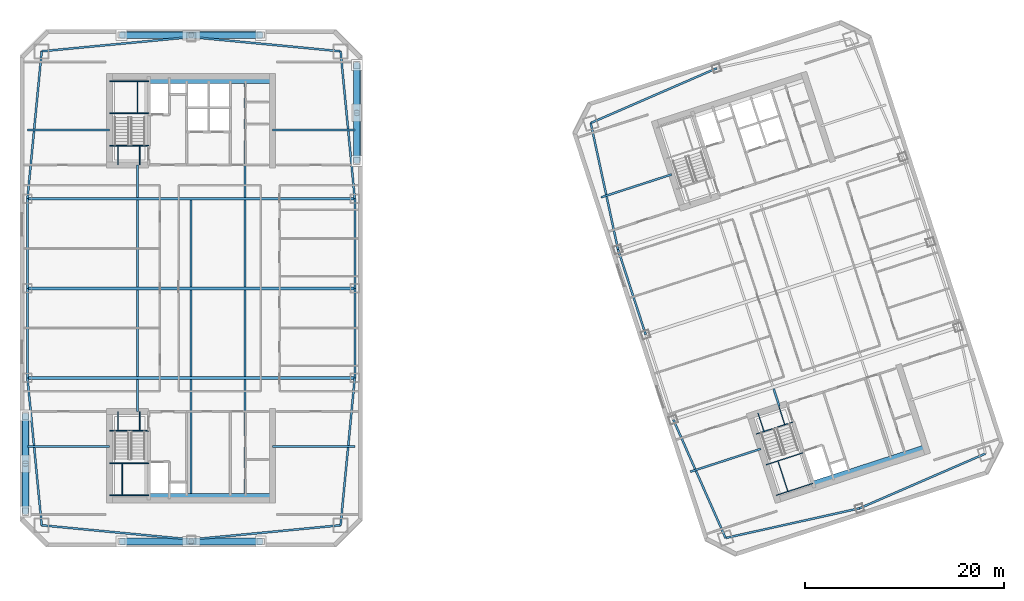
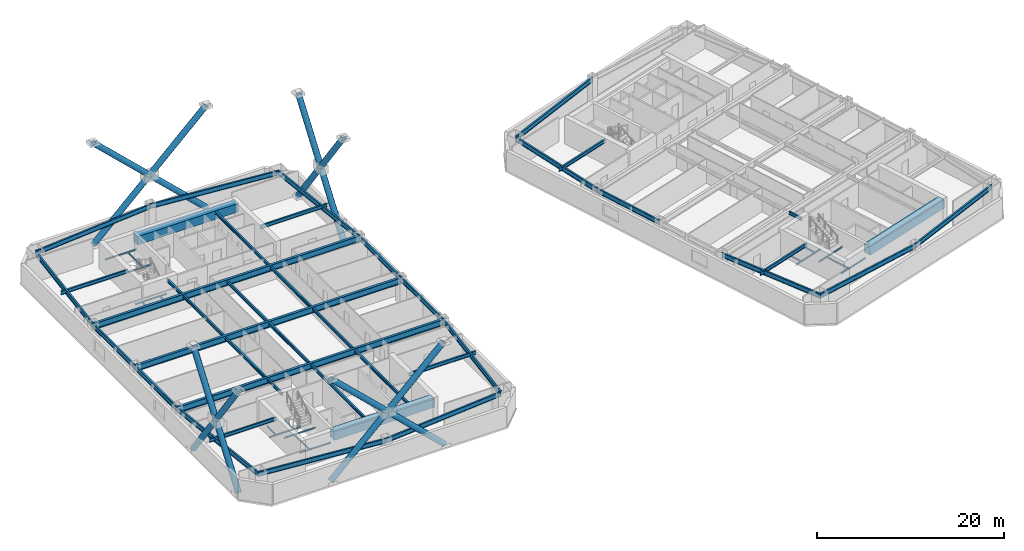
# One storey, part 3 of 14: 60 beams, 16 members.
"""IFC4 building model written with IfcOpenShell, lengths in metres."""

from ifc_helpers import new_model, si_unit, direction, frame, origin, origin_2d, place, context, subcontext, project, spatial, rectangle, hollow_circle, i_section, extrude, material, material_profile, profile_set, type_object, element, save


model = new_model("IFC4")

# Units and contexts
model_context = context("Model", 3, precision=1e-05, world=origin(), true_north=direction((0.0, 1.0)))
body_context = subcontext(model_context, "Body", "Model", "MODEL_VIEW")
ifc_project = project(units=[si_unit("LENGTHUNIT", "METRE"), si_unit("AREAUNIT", "SQUARE_METRE"), si_unit("VOLUMEUNIT", "CUBIC_METRE"), si_unit("PLANEANGLEUNIT", "RADIAN"), si_unit("MASSUNIT", "GRAM", prefix="KILO")], contexts=[model_context])

# Site, building, storey
site_placement = place(None, origin())
site = spatial("IfcSite", under=ifc_project, at=site_placement, CompositionType="ELEMENT")
building_placement = place(site_placement, origin())
building = spatial("IfcBuilding", under=site, at=building_placement, Name="Qiaolan Cultural Towers", CompositionType="ELEMENT")
storey_placement = place(building_placement, frame((0.0, 0.0, 159.85009765625)))
storey = spatial("IfcBuildingStorey", under=building, at=storey_placement, Name="L42", CompositionType="ELEMENT", Elevation=159.85009765625)

# Beams
ifc_material_1 = material(Name="Steel Q355B", Category="steel")
ifc_material_profile_1 = material_profile(ifc_material_1, i_section(OverallWidth=0.300048828125, OverallDepth=0.800048828125, WebThickness=0.013916015625, FlangeThickness=0.02587890625, at=origin_2d()), Name="HN800x300x14x26")
ifc_profile_set_1 = profile_set([ifc_material_profile_1], Name="Steel Q355B")
beam_type_1 = type_object("IfcBeamType", Name="BM-HN800x300x14x26", PredefinedType="BEAM", material=ifc_profile_set_1)
for number, where, z_axis, x_axis, name in (
    (1, (13.550048828125, 25.0, 2.789794921875), (1.0, 0.0, 0.0), (0.0, 1.0, 0.0), "L42 T1 Primary Transverse Girder V1"),
    (2, (13.550048828125, 34.0, 2.789794921875), (1.0, 0.0, 0.0), (0.0, 1.0, 0.0), "L42 T1 Primary Transverse Girder V2"),
    (3, (13.550048828125, 43.0, 2.789794921875), (1.0, 0.0, 0.0), (0.0, 1.0, 0.0), "L42 T1 Primary Transverse Girder V3"),
):
    element("IfcBeam", number, at=place(storey_placement, frame(where, z_axis=z_axis, x_axis=x_axis)), inside=storey, type_object=beam_type_1, Name=name, PredefinedType="BEAM", context=body_context, shape_type="SweptSolid", body=[
        extrude(i_section(OverallWidth=0.300048828125, OverallDepth=0.800048828125, WebThickness=0.013916015625, FlangeThickness=0.02587890625, at=origin_2d()), origin(), (0.0, 0.0, 1.0), 32.89990234375),
    ])
ifc_material_2 = material(Name="Steel Q355B", Category="steel")
ifc_material_profile_2 = material_profile(ifc_material_2, i_section(OverallWidth=0.199951171875, OverallDepth=0.39990234375, WebThickness=0.008056640625, FlangeThickness=0.012939453125, at=origin_2d()), Name="HN400x200x8x13")
ifc_profile_set_2 = profile_set([ifc_material_profile_2], Name="Steel Q355B")
beam_type_2 = type_object("IfcBeamType", Name="BM-JST-HN400x200x8x13", PredefinedType="JOIST", material=ifc_profile_set_2)
beam_1_placement = place(storey_placement, frame((24.60009765625, 21.60009765625, 2.989990234375), z_axis=(0.0, 1.0, 0.0), x_axis=(-1.0, 0.0, 0.0)))
element("IfcBeam", 4, at=beam_1_placement, inside=storey, type_object=beam_type_2, Name="L42 T1 Secondary Floor Joist U1-1", PredefinedType="JOIST", context=body_context, shape_type="SweptSolid", body=[
    extrude(i_section(OverallWidth=0.199951171875, OverallDepth=0.39990234375, WebThickness=0.008056640625, FlangeThickness=0.012939453125, at=origin_2d()), origin(), (0.0, 0.0, 1.0), 3.25),
])
for number, where, z_axis, x_axis, name in (
    (5, (24.60009765625, 25.14990234375, 2.989990234375), (0.0, 1.0, 0.0), (-1.0, 0.0, 0.0), "L42 T1 Secondary Floor Joist U1-2"),
    (6, (24.60009765625, 34.14990234375, 2.989990234375), (0.0, 1.0, 0.0), (-1.0, 0.0, 0.0), "L42 T1 Secondary Floor Joist U1-3"),
):
    element("IfcBeam", number, at=place(storey_placement, frame(where, z_axis=z_axis, x_axis=x_axis)), inside=storey, type_object=beam_type_2, Name=name, PredefinedType="JOIST", context=body_context, shape_type="SweptSolid", body=[
        extrude(i_section(OverallWidth=0.199951171875, OverallDepth=0.39990234375, WebThickness=0.008056640625, FlangeThickness=0.012939453125, at=origin_2d()), origin(), (0.0, 0.0, 1.0), 8.7001953125),
    ])
beam_2_placement = place(storey_placement, frame((24.60009765625, 43.14990234375, 2.989990234375), z_axis=(0.0, 1.0, 0.0), x_axis=(-1.0, 0.0, 0.0)))
element("IfcBeam", 7, at=beam_2_placement, inside=storey, type_object=beam_type_2, Name="L42 T1 Secondary Floor Joist U1-4", PredefinedType="JOIST", context=body_context, shape_type="SweptSolid", body=[
    extrude(i_section(OverallWidth=0.199951171875, OverallDepth=0.39990234375, WebThickness=0.008056640625, FlangeThickness=0.012939453125, at=origin_2d()), origin(), (0.0, 0.0, 1.0), 3.25),
])
beam_3_placement = place(storey_placement, frame((30.0, 13.39990234375, 2.989990234375), z_axis=(0.0, 1.0, 0.0), x_axis=(-1.0, 0.0, 0.0)))
element("IfcBeam", 8, at=beam_3_placement, inside=storey, type_object=beam_type_2, Name="L42 T1 Secondary Floor Joist U2-1", PredefinedType="JOIST", context=body_context, shape_type="SweptSolid", body=[
    extrude(i_section(OverallWidth=0.199951171875, OverallDepth=0.39990234375, WebThickness=0.008056640625, FlangeThickness=0.012939453125, at=origin_2d()), origin(), (0.0, 0.0, 1.0), 11.4501953125),
])
for number, where, z_axis, x_axis, name in (
    (9, (30.0, 25.14990234375, 2.989990234375), (0.0, 1.0, 0.0), (-1.0, 0.0, 0.0), "L42 T1 Secondary Floor Joist U2-2"),
    (10, (30.0, 34.14990234375, 2.989990234375), (0.0, 1.0, 0.0), (-1.0, 0.0, 0.0), "L42 T1 Secondary Floor Joist U2-3"),
):
    element("IfcBeam", number, at=place(storey_placement, frame(where, z_axis=z_axis, x_axis=x_axis)), inside=storey, type_object=beam_type_2, Name=name, PredefinedType="JOIST", context=body_context, shape_type="SweptSolid", body=[
        extrude(i_section(OverallWidth=0.199951171875, OverallDepth=0.39990234375, WebThickness=0.008056640625, FlangeThickness=0.012939453125, at=origin_2d()), origin(), (0.0, 0.0, 1.0), 8.7001953125),
    ])
beam_4_placement = place(storey_placement, frame((35.39990234375, 13.39990234375, 2.989990234375), z_axis=(0.0, 1.0, 0.0), x_axis=(-1.0, 0.0, 0.0)))
element("IfcBeam", 11, at=beam_4_placement, inside=storey, type_object=beam_type_2, Name="L42 T1 Secondary Floor Joist U3-1", PredefinedType="JOIST", context=body_context, shape_type="SweptSolid", body=[
    extrude(i_section(OverallWidth=0.199951171875, OverallDepth=0.39990234375, WebThickness=0.008056640625, FlangeThickness=0.012939453125, at=origin_2d()), origin(), (0.0, 0.0, 1.0), 11.4501953125),
])
for number, where, z_axis, x_axis, name in (
    (12, (35.39990234375, 25.14990234375, 2.989990234375), (0.0, 1.0, 0.0), (-1.0, 0.0, 0.0), "L42 T1 Secondary Floor Joist U3-2"),
    (13, (35.39990234375, 34.14990234375, 2.989990234375), (0.0, 1.0, 0.0), (-1.0, 0.0, 0.0), "L42 T1 Secondary Floor Joist U3-3"),
):
    element("IfcBeam", number, at=place(storey_placement, frame(where, z_axis=z_axis, x_axis=x_axis)), inside=storey, type_object=beam_type_2, Name=name, PredefinedType="JOIST", context=body_context, shape_type="SweptSolid", body=[
        extrude(i_section(OverallWidth=0.199951171875, OverallDepth=0.39990234375, WebThickness=0.008056640625, FlangeThickness=0.012939453125, at=origin_2d()), origin(), (0.0, 0.0, 1.0), 8.7001953125),
    ])
beam_5_placement = place(storey_placement, frame((35.39990234375, 43.14990234375, 2.989990234375), z_axis=(0.0, 1.0, 0.0), x_axis=(-1.0, 0.0, 0.0)))
element("IfcBeam", 14, at=beam_5_placement, inside=storey, type_object=beam_type_2, Name="L42 T1 Secondary Floor Joist U3-4", PredefinedType="JOIST", context=body_context, shape_type="SweptSolid", body=[
    extrude(i_section(OverallWidth=0.199951171875, OverallDepth=0.39990234375, WebThickness=0.008056640625, FlangeThickness=0.012939453125, at=origin_2d()), origin(), (0.0, 0.0, 1.0), 11.4501953125),
])
beam_6_placement = place(storey_placement, frame((89.119384765625, 22.147705078125, 2.989990234375), z_axis=(-0.308933885266, 0.951083516067, 0.0), x_axis=(-0.951083516067, -0.308933885266, 0.0)))
element("IfcBeam", 15, at=beam_6_placement, inside=storey, type_object=beam_type_2, Name="L42 T2 Secondary Floor Joist U1-1", PredefinedType="JOIST", context=body_context, shape_type="SweptSolid", body=[
    extrude(i_section(OverallWidth=0.199951171875, OverallDepth=0.39990234375, WebThickness=0.008056640625, FlangeThickness=0.012939453125, at=origin_2d()), origin(), (0.0, 0.0, 1.0), 1.85009765625),
])
ifc_material_3 = material(Name="Steel Q355B", Category="steel")
ifc_material_profile_3 = material_profile(ifc_material_3, i_section(OverallWidth=0.199951171875, OverallDepth=0.449951171875, WebThickness=0.009033203125, FlangeThickness=0.013916015625, at=origin_2d()), Name="HN450x200x9x14")
ifc_profile_set_3 = profile_set([ifc_material_profile_3], Name="Steel Q355B")
beam_type_3 = type_object("IfcBeamType", Name="BM-LNT-HN450x200x9x14", PredefinedType="LINTEL", material=ifc_profile_set_3)
for number, where, z_axis, x_axis, name in (
    (16, (21.800048828125, 18.10009765625, 2.96484375), (-1.0, 0.0, 0.0), (0.0, -1.0, 0.0), "L42 T1 Core Flank Tie Lintel WS"),
    (17, (21.800048828125, 49.89990234375, 2.96484375), (-1.0, 0.0, 0.0), (0.0, -1.0, 0.0), "L42 T1 Core Flank Tie Lintel WN"),
    (18, (38.199951171875, 18.10009765625, 2.96484375), (1.0, 0.0, 0.0), (0.0, 1.0, 0.0), "L42 T1 Core Flank Tie Lintel ES"),
    (19, (38.199951171875, 49.89990234375, 2.96484375), (1.0, 0.0, 0.0), (0.0, 1.0, 0.0), "L42 T1 Core Flank Tie Lintel EN"),
):
    element("IfcBeam", number, at=place(storey_placement, frame(where, z_axis=z_axis, x_axis=x_axis)), inside=storey, type_object=beam_type_3, Name=name, PredefinedType="LINTEL", context=body_context, shape_type="SweptSolid", body=[
        extrude(i_section(OverallWidth=0.199951171875, OverallDepth=0.449951171875, WebThickness=0.009033203125, FlangeThickness=0.013916015625, at=origin_2d()), origin(), (0.0, 0.0, 1.0), 8.25),
    ])
beam_7_placement = place(storey_placement, frame((87.252685546875, 17.861083984375, 2.96484375), z_axis=(-0.951064407856, -0.308992705592, 0.0), x_axis=(0.308992705592, -0.951064407856, 0.0)))
element("IfcBeam", 20, at=beam_7_placement, inside=storey, type_object=beam_type_3, Name="L42 T2 Core Flank Tie Lintel WS", PredefinedType="LINTEL", context=body_context, shape_type="SweptSolid", body=[
    extrude(i_section(OverallWidth=0.199951171875, OverallDepth=0.449951171875, WebThickness=0.009033203125, FlangeThickness=0.013916015625, at=origin_2d()), origin(), (0.0, 0.0, 1.0), 7.449951171875),
])
beam_8_placement = place(storey_placement, frame((78.291259765625, 45.44189453125, 2.96484375), z_axis=(-0.951054777171, -0.309022346796, 0.0), x_axis=(0.309022346796, -0.951054777171, 0.0)))
element("IfcBeam", 21, at=beam_8_placement, inside=storey, type_object=beam_type_3, Name="L42 T2 Core Flank Tie Lintel WN", PredefinedType="LINTEL", context=body_context, shape_type="SweptSolid", body=[
    extrude(i_section(OverallWidth=0.199951171875, OverallDepth=0.449951171875, WebThickness=0.009033203125, FlangeThickness=0.013916015625, at=origin_2d()), origin(), (0.0, 0.0, 1.0), 7.4501953125),
])
ifc_material_4 = material(Name="Concrete C50", Category="concrete")
ifc_material_profile_4 = material_profile(ifc_material_4, rectangle(XDim=0.89990234375, YDim=1.10009765625, at=origin_2d()), Name="RC900x1100")
ifc_profile_set_4 = profile_set([ifc_material_profile_4], Name="Concrete C50")
beam_type_4 = type_object("IfcBeamType", Name="BM-RC900x1100", PredefinedType="BEAM", material=ifc_profile_set_4)
for number, where, z_axis, x_axis, name in (
    (22, (25.719970703125, 12.949951171875, 2.639892578125), (1.0, 0.0, 0.0), (0.0, 1.0, 0.0), "L42 T1 Core Header Girder S"),
    (23, (25.719970703125, 55.050048828125, 2.639892578125), (1.0, 0.0, 0.0), (0.0, 1.0, 0.0), "L42 T1 Core Header Girder N"),
):
    element("IfcBeam", number, at=place(storey_placement, frame(where, z_axis=z_axis, x_axis=x_axis)), inside=storey, type_object=beam_type_4, Name=name, PredefinedType="BEAM", context=body_context, shape_type="SweptSolid", body=[
        extrude(rectangle(XDim=0.89990234375, YDim=1.10009765625, at=origin_2d()), origin(), (0.0, 0.0, 1.0), 12.47998046875),
    ])
beam_9_placement = place(storey_placement, frame((92.572265625, 14.174560546875, 2.639892578125), z_axis=(0.951056266386, 0.309017763514, 0.0), x_axis=(-0.309017763514, 0.951056266386, 0.0)))
element("IfcBeam", 24, at=beam_9_placement, inside=storey, type_object=beam_type_4, Name="L42 T2 Core Header Girder S", PredefinedType="BEAM", context=body_context, shape_type="SweptSolid", body=[
    extrude(rectangle(XDim=0.89990234375, YDim=1.10009765625, at=origin_2d()), origin(), (0.0, 0.0, 1.0), 11.880126953125),
])
ifc_material_5 = material(Name="Steel Q355B", Category="steel")
ifc_material_profile_5 = material_profile(ifc_material_5, i_section(OverallWidth=0.199951171875, OverallDepth=0.60009765625, WebThickness=0.010986328125, FlangeThickness=0.01708984375, at=origin_2d()), Name="HN600x200x11x17")
ifc_profile_set_5 = profile_set([ifc_material_profile_5], Name="Steel Q355B")
beam_type_5 = type_object("IfcBeamType", Name="BM-SPD-HN600x200x11x17", PredefinedType="SPANDREL", material=ifc_profile_set_5)
for number, where, z_axis, x_axis, name in (
    (25, (14.97998046875, 10.179931640625, 2.889892578125), (0.995498889995, -0.094773203061, 0.0), (0.094773203061, 0.995498889995, 0.0), "L42 T1 Perimeter Spandrel Beam 1"),
    (26, (30.0, 8.75, 2.889892578125), (0.995498889995, 0.094773203061, 0.0), (-0.094773203061, 0.995498889995, 0.0), "L42 T1 Perimeter Spandrel Beam 2"),
):
    element("IfcBeam", number, at=place(storey_placement, frame(where, z_axis=z_axis, x_axis=x_axis)), inside=storey, type_object=beam_type_5, Name=name, PredefinedType="SPANDREL", context=body_context, shape_type="SweptSolid", body=[
        extrude(i_section(OverallWidth=0.199951171875, OverallDepth=0.60009765625, WebThickness=0.010986328125, FlangeThickness=0.01708984375, at=origin_2d()), origin(), (0.0, 0.0, 1.0), 15.087890625),
    ])
beam_10_placement = place(storey_placement, frame((45.02001953125, 10.179931640625, 2.889892578125), z_axis=(0.096040159186, 0.995377459974, 0.0), x_axis=(-0.995377459974, 0.096040159186, 0.0)))
element("IfcBeam", 27, at=beam_10_placement, inside=storey, type_object=beam_type_5, Name="L42 T1 Perimeter Spandrel Beam 3", PredefinedType="SPANDREL", context=body_context, shape_type="SweptSolid", body=[
    extrude(i_section(OverallWidth=0.199951171875, OverallDepth=0.60009765625, WebThickness=0.010986328125, FlangeThickness=0.01708984375, at=origin_2d()), origin(), (0.0, 0.0, 1.0), 14.888916015625),
])
for number, where, z_axis, x_axis, name in (
    (28, (46.449951171875, 25.0, 2.889892578125), (0.0, 1.0, 0.0), (-1.0, 0.0, 0.0), "L42 T1 Perimeter Spandrel Beam 4"),
    (29, (46.449951171875, 34.0, 2.889892578125), (0.0, 1.0, 0.0), (-1.0, 0.0, 0.0), "L42 T1 Perimeter Spandrel Beam 5"),
):
    element("IfcBeam", number, at=place(storey_placement, frame(where, z_axis=z_axis, x_axis=x_axis)), inside=storey, type_object=beam_type_5, Name=name, PredefinedType="SPANDREL", context=body_context, shape_type="SweptSolid", body=[
        extrude(i_section(OverallWidth=0.199951171875, OverallDepth=0.60009765625, WebThickness=0.010986328125, FlangeThickness=0.01708984375, at=origin_2d()), origin(), (0.0, 0.0, 1.0), 9.0),
    ])
beam_11_placement = place(storey_placement, frame((46.449951171875, 43.0, 2.889892578125), z_axis=(-0.096040159186, 0.995377459974, 0.0), x_axis=(-0.995377459974, -0.096040159186, 0.0)))
element("IfcBeam", 30, at=beam_11_placement, inside=storey, type_object=beam_type_5, Name="L42 T1 Perimeter Spandrel Beam 6", PredefinedType="SPANDREL", context=body_context, shape_type="SweptSolid", body=[
    extrude(i_section(OverallWidth=0.199951171875, OverallDepth=0.60009765625, WebThickness=0.010986328125, FlangeThickness=0.01708984375, at=origin_2d()), origin(), (0.0, 0.0, 1.0), 14.888916015625),
])
for number, where, z_axis, x_axis, name in (
    (31, (45.02001953125, 57.820068359375, 2.889892578125), (-0.995498889995, 0.094773203061, 0.0), (-0.094773203061, -0.995498889995, 0.0), "L42 T1 Perimeter Spandrel Beam 7"),
    (32, (30.0, 59.25, 2.889892578125), (-0.995498889995, -0.094773203061, 0.0), (0.094773203061, -0.995498889995, 0.0), "L42 T1 Perimeter Spandrel Beam 8"),
):
    element("IfcBeam", number, at=place(storey_placement, frame(where, z_axis=z_axis, x_axis=x_axis)), inside=storey, type_object=beam_type_5, Name=name, PredefinedType="SPANDREL", context=body_context, shape_type="SweptSolid", body=[
        extrude(i_section(OverallWidth=0.199951171875, OverallDepth=0.60009765625, WebThickness=0.010986328125, FlangeThickness=0.01708984375, at=origin_2d()), origin(), (0.0, 0.0, 1.0), 15.087890625),
    ])
beam_12_placement = place(storey_placement, frame((14.97998046875, 57.820068359375, 2.889892578125), z_axis=(-0.096040159186, -0.995377459974, 0.0), x_axis=(0.995377459974, -0.096040159186, 0.0)))
element("IfcBeam", 33, at=beam_12_placement, inside=storey, type_object=beam_type_5, Name="L42 T1 Perimeter Spandrel Beam 9", PredefinedType="SPANDREL", context=body_context, shape_type="SweptSolid", body=[
    extrude(i_section(OverallWidth=0.199951171875, OverallDepth=0.60009765625, WebThickness=0.010986328125, FlangeThickness=0.01708984375, at=origin_2d()), origin(), (0.0, 0.0, 1.0), 14.888916015625),
])
for number, where, z_axis, x_axis, name in (
    (34, (13.550048828125, 43.0, 2.889892578125), (0.0, -1.0, 0.0), (1.0, 0.0, 0.0), "L42 T1 Perimeter Spandrel Beam 10"),
    (35, (13.550048828125, 34.0, 2.889892578125), (0.0, -1.0, 0.0), (1.0, 0.0, 0.0), "L42 T1 Perimeter Spandrel Beam 11"),
):
    element("IfcBeam", number, at=place(storey_placement, frame(where, z_axis=z_axis, x_axis=x_axis)), inside=storey, type_object=beam_type_5, Name=name, PredefinedType="SPANDREL", context=body_context, shape_type="SweptSolid", body=[
        extrude(i_section(OverallWidth=0.199951171875, OverallDepth=0.60009765625, WebThickness=0.010986328125, FlangeThickness=0.01708984375, at=origin_2d()), origin(), (0.0, 0.0, 1.0), 9.0),
    ])
beam_13_placement = place(storey_placement, frame((13.550048828125, 25.0, 2.889892578125), z_axis=(0.096040159186, -0.995377459974, 0.0), x_axis=(0.995377459974, 0.096040159186, 0.0)))
element("IfcBeam", 36, at=beam_13_placement, inside=storey, type_object=beam_type_5, Name="L42 T1 Perimeter Spandrel Beam 12", PredefinedType="SPANDREL", context=body_context, shape_type="SweptSolid", body=[
    extrude(i_section(OverallWidth=0.199951171875, OverallDepth=0.60009765625, WebThickness=0.010986328125, FlangeThickness=0.01708984375, at=origin_2d()), origin(), (0.0, 0.0, 1.0), 14.888916015625),
])
beam_14_placement = place(storey_placement, frame((83.71875, 8.900634765625, 2.889892578125), z_axis=(0.976265293399, 0.216578108094, 0.0), x_axis=(-0.216578108094, 0.976265293399, 0.0)))
element("IfcBeam", 37, at=beam_14_placement, inside=storey, type_object=beam_type_5, Name="L42 T2 Perimeter Spandrel Beam 1", PredefinedType="SPANDREL", context=body_context, shape_type="SweptSolid", body=[
    extrude(i_section(OverallWidth=0.199951171875, OverallDepth=0.60009765625, WebThickness=0.010986328125, FlangeThickness=0.01708984375, at=origin_2d()), origin(), (0.0, 0.0, 1.0), 13.793212890625),
])
for number, where, z_axis, x_axis, name in (
    (38, (97.1845703125, 11.887939453125, 2.889892578125), (0.917117043091, 0.398618024268, 0.0), (-0.398618024268, 0.917117043091, 0.0), "L42 T2 Perimeter Spandrel Beam 2"),
    (39, (82.8154296875, 56.112060546875, 2.889892578125), (-0.917117043091, -0.398618024268, 0.0), (0.398618024268, -0.917117043091, 0.0), "L42 T2 Perimeter Spandrel Beam 8"),
):
    element("IfcBeam", number, at=place(storey_placement, frame(where, z_axis=z_axis, x_axis=x_axis)), inside=storey, type_object=beam_type_5, Name=name, PredefinedType="SPANDREL", context=body_context, shape_type="SweptSolid", body=[
        extrude(i_section(OverallWidth=0.199951171875, OverallDepth=0.60009765625, WebThickness=0.010986328125, FlangeThickness=0.01708984375, at=origin_2d()), origin(), (0.0, 0.0, 1.0), 13.79345703125),
    ])
beam_15_placement = place(storey_placement, frame((70.165283203125, 50.61376953125, 2.889892578125), z_axis=(0.210832241173, -0.977522258612, 0.0), x_axis=(0.977522258612, 0.210832241173, 0.0)))
element("IfcBeam", 40, at=beam_15_placement, inside=storey, type_object=beam_type_5, Name="L42 T2 Perimeter Spandrel Beam 9", PredefinedType="SPANDREL", context=body_context, shape_type="SweptSolid", body=[
    extrude(i_section(OverallWidth=0.199951171875, OverallDepth=0.60009765625, WebThickness=0.010986328125, FlangeThickness=0.01708984375, at=origin_2d()), origin(), (0.0, 0.0, 1.0), 12.997314453125),
])
beam_16_placement = place(storey_placement, frame((72.905517578125, 37.90869140625, 2.889892578125), z_axis=(0.309008170129, -0.951059383421, 0.0), x_axis=(0.951059383421, 0.309008170129, 0.0)))
element("IfcBeam", 41, at=beam_16_placement, inside=storey, type_object=beam_type_5, Name="L42 T2 Perimeter Spandrel Beam 10", PredefinedType="SPANDREL", context=body_context, shape_type="SweptSolid", body=[
    extrude(i_section(OverallWidth=0.199951171875, OverallDepth=0.60009765625, WebThickness=0.010986328125, FlangeThickness=0.01708984375, at=origin_2d()), origin(), (0.0, 0.0, 1.0), 8.999755859375),
])
beam_17_placement = place(storey_placement, frame((78.4677734375, 20.789794921875, 2.889892578125), z_axis=(0.404011070002, -0.914754095545, 0.0), x_axis=(0.914754095545, 0.404011070002, 0.0)))
element("IfcBeam", 42, at=beam_17_placement, inside=storey, type_object=beam_type_5, Name="L42 T2 Perimeter Spandrel Beam 12", PredefinedType="SPANDREL", context=body_context, shape_type="SweptSolid", body=[
    extrude(i_section(OverallWidth=0.199951171875, OverallDepth=0.60009765625, WebThickness=0.010986328125, FlangeThickness=0.01708984375, at=origin_2d()), origin(), (0.0, 0.0, 1.0), 12.9970703125),
])
ifc_material_6 = material(Name="Steel Q355B", Category="steel")
ifc_material_profile_6 = material_profile(ifc_material_6, i_section(OverallWidth=0.10009765625, OverallDepth=0.199951171875, WebThickness=0.005615234375, FlangeThickness=0.008056640625, at=origin_2d()), Name="HN200x100x5.5x8")
ifc_profile_set_6 = profile_set([ifc_material_profile_6], Name="Steel Q355B")
beam_type_6 = type_object("IfcBeamType", Name="BM-STTRIM-200", PredefinedType="BEAM", material=ifc_profile_set_6)
beam_18_placement = place(storey_placement, frame((21.800048828125, 19.659912109375, -0.460205078125), z_axis=(1.0, 0.0, 0.0), x_axis=(0.0, 1.0, 0.0)))
element("IfcBeam", 43, at=beam_18_placement, inside=storey, type_object=beam_type_6, Name="L42 ST-W1 Floor Landing Header Beam", PredefinedType="BEAM", context=body_context, shape_type="SweptSolid", body=[
    extrude(i_section(OverallWidth=0.10009765625, OverallDepth=0.199951171875, WebThickness=0.005615234375, FlangeThickness=0.008056640625, at=origin_2d()), origin(), (0.0, 0.0, 1.0), 3.919921875),
])
for number, where, z_axis, x_axis, name in (
    (44, (22.64990234375, 21.60009765625, -0.460205078125), (0.0, -1.0, 0.0), (1.0, 0.0, 0.0), "L42 ST-W1 Floor Landing Stringer 1"),
    (45, (24.85009765625, 21.60009765625, -0.460205078125), (0.0, -1.0, 0.0), (1.0, 0.0, 0.0), "L42 ST-W1 Floor Landing Stringer 2"),
):
    element("IfcBeam", number, at=place(storey_placement, frame(where, z_axis=z_axis, x_axis=x_axis)), inside=storey, type_object=beam_type_6, Name=name, PredefinedType="BEAM", context=body_context, shape_type="SweptSolid", body=[
        extrude(i_section(OverallWidth=0.10009765625, OverallDepth=0.199951171875, WebThickness=0.005615234375, FlangeThickness=0.008056640625, at=origin_2d()), origin(), (0.0, 0.0, 1.0), 1.940185546875),
    ])
for number, where, z_axis, x_axis, name in (
    (46, (21.800048828125, 16.411376953125, 1.4248046875), (1.0, 0.0, 0.0), (0.0, 1.0, 0.0), "L42 ST-W1 Stair Landing Support Beam 1-1"),
    (47, (21.800048828125, 13.179931640625, 1.4248046875), (1.0, 0.0, 0.0), (0.0, 1.0, 0.0), "L42 ST-W1 Stair Landing Support Beam 1-2"),
):
    element("IfcBeam", number, at=place(storey_placement, frame(where, z_axis=z_axis, x_axis=x_axis)), inside=storey, type_object=beam_type_6, Name=name, PredefinedType="BEAM", context=body_context, shape_type="SweptSolid", body=[
        extrude(i_section(OverallWidth=0.10009765625, OverallDepth=0.199951171875, WebThickness=0.005615234375, FlangeThickness=0.008056640625, at=origin_2d()), origin(), (0.0, 0.0, 1.0), 3.919921875),
    ])
beam_19_placement = place(storey_placement, frame((23.070068359375, 16.411376953125, 1.4248046875), z_axis=(0.0, -1.0, 0.0), x_axis=(1.0, 0.0, 0.0)))
element("IfcBeam", 48, at=beam_19_placement, inside=storey, type_object=beam_type_6, Name="L42 ST-W1 Stair Landing Trimmer 1", PredefinedType="BEAM", context=body_context, shape_type="SweptSolid", body=[
    extrude(i_section(OverallWidth=0.10009765625, OverallDepth=0.199951171875, WebThickness=0.005615234375, FlangeThickness=0.008056640625, at=origin_2d()), origin(), (0.0, 0.0, 1.0), 3.2314453125),
])
beam_20_placement = place(storey_placement, frame((21.800048828125, 48.340087890625, -0.460205078125), z_axis=(1.0, 0.0, 0.0), x_axis=(0.0, 1.0, 0.0)))
element("IfcBeam", 49, at=beam_20_placement, inside=storey, type_object=beam_type_6, Name="L42 ST-W2 Floor Landing Header Beam", PredefinedType="BEAM", context=body_context, shape_type="SweptSolid", body=[
    extrude(i_section(OverallWidth=0.10009765625, OverallDepth=0.199951171875, WebThickness=0.005615234375, FlangeThickness=0.008056640625, at=origin_2d()), origin(), (0.0, 0.0, 1.0), 3.919921875),
])
for number, where, z_axis, x_axis, name in (
    (50, (22.64990234375, 46.39990234375, -0.460205078125), (0.0, 1.0, 0.0), (-1.0, 0.0, 0.0), "L42 ST-W2 Floor Landing Stringer 1"),
    (51, (24.85009765625, 46.39990234375, -0.460205078125), (0.0, 1.0, 0.0), (-1.0, 0.0, 0.0), "L42 ST-W2 Floor Landing Stringer 2"),
):
    element("IfcBeam", number, at=place(storey_placement, frame(where, z_axis=z_axis, x_axis=x_axis)), inside=storey, type_object=beam_type_6, Name=name, PredefinedType="BEAM", context=body_context, shape_type="SweptSolid", body=[
        extrude(i_section(OverallWidth=0.10009765625, OverallDepth=0.199951171875, WebThickness=0.005615234375, FlangeThickness=0.008056640625, at=origin_2d()), origin(), (0.0, 0.0, 1.0), 1.940185546875),
    ])
for number, where, z_axis, x_axis, name in (
    (52, (21.800048828125, 51.588623046875, 1.4248046875), (1.0, 0.0, 0.0), (0.0, 1.0, 0.0), "L42 ST-W2 Stair Landing Support Beam 1-1"),
    (53, (21.800048828125, 54.820068359375, 1.4248046875), (1.0, 0.0, 0.0), (0.0, 1.0, 0.0), "L42 ST-W2 Stair Landing Support Beam 1-2"),
):
    element("IfcBeam", number, at=place(storey_placement, frame(where, z_axis=z_axis, x_axis=x_axis)), inside=storey, type_object=beam_type_6, Name=name, PredefinedType="BEAM", context=body_context, shape_type="SweptSolid", body=[
        extrude(i_section(OverallWidth=0.10009765625, OverallDepth=0.199951171875, WebThickness=0.005615234375, FlangeThickness=0.008056640625, at=origin_2d()), origin(), (0.0, 0.0, 1.0), 3.919921875),
    ])
beam_21_placement = place(storey_placement, frame((24.610107421875, 51.588623046875, 1.4248046875), z_axis=(0.0, 1.0, 0.0), x_axis=(-1.0, 0.0, 0.0)))
element("IfcBeam", 54, at=beam_21_placement, inside=storey, type_object=beam_type_6, Name="L42 ST-W2 Stair Landing Trimmer 1", PredefinedType="BEAM", context=body_context, shape_type="SweptSolid", body=[
    extrude(i_section(OverallWidth=0.10009765625, OverallDepth=0.199951171875, WebThickness=0.005615234375, FlangeThickness=0.008056640625, at=origin_2d()), origin(), (0.0, 0.0, 1.0), 3.2314453125),
])
beam_22_placement = place(storey_placement, frame((86.770751953125, 19.3447265625, -0.460205078125), z_axis=(0.951047798727, 0.309043823005, 0.0), x_axis=(-0.309043823005, 0.951047798727, 0.0)))
element("IfcBeam", 55, at=beam_22_placement, inside=storey, type_object=beam_type_6, Name="L42 ST-E1 Floor Landing Header Beam", PredefinedType="BEAM", context=body_context, shape_type="SweptSolid", body=[
    extrude(i_section(OverallWidth=0.10009765625, OverallDepth=0.199951171875, WebThickness=0.005615234375, FlangeThickness=0.008056640625, at=origin_2d()), origin(), (0.0, 0.0, 1.0), 3.919921875),
])
for number, where, z_axis, x_axis, name in (
    (56, (86.9794921875, 21.452392578125, -0.460205078125), (0.309083226701, -0.951034993558, 0.0), (0.951034993558, 0.309083226701, 0.0), "L42 ST-E1 Floor Landing Stringer 1"),
    (57, (89.07177734375, 22.13232421875, -0.460205078125), (0.309083226701, -0.951034993558, 0.0), (0.951034993558, 0.309083226701, 0.0), "L42 ST-E1 Floor Landing Stringer 2"),
):
    element("IfcBeam", number, at=place(storey_placement, frame(where, z_axis=z_axis, x_axis=x_axis)), inside=storey, type_object=beam_type_6, Name=name, PredefinedType="BEAM", context=body_context, shape_type="SweptSolid", body=[
        extrude(i_section(OverallWidth=0.10009765625, OverallDepth=0.199951171875, WebThickness=0.005615234375, FlangeThickness=0.008056640625, at=origin_2d()), origin(), (0.0, 0.0, 1.0), 1.93994140625),
    ])
for number, where, z_axis, x_axis, name in (
    (58, (87.774658203125, 16.255126953125, 1.4248046875), (0.951047798727, 0.309043823005, 0.0), (-0.309043823005, 0.951047798727, 0.0), "L42 ST-E1 Stair Landing Support Beam 1-1"),
    (59, (88.773193359375, 13.181884765625, 1.4248046875), (0.951047798727, 0.309043823005, 0.0), (-0.309043823005, 0.951047798727, 0.0), "L42 ST-E1 Stair Landing Support Beam 1-2"),
):
    element("IfcBeam", number, at=place(storey_placement, frame(where, z_axis=z_axis, x_axis=x_axis)), inside=storey, type_object=beam_type_6, Name=name, PredefinedType="BEAM", context=body_context, shape_type="SweptSolid", body=[
        extrude(i_section(OverallWidth=0.10009765625, OverallDepth=0.199951171875, WebThickness=0.005615234375, FlangeThickness=0.008056640625, at=origin_2d()), origin(), (0.0, 0.0, 1.0), 3.919921875),
    ])
beam_23_placement = place(storey_placement, frame((88.982421875, 16.6474609375, 1.4248046875), z_axis=(0.309033108495, -0.951051280349, 0.0), x_axis=(0.951051280349, 0.309033108495, 0.0)))
element("IfcBeam", 60, at=beam_23_placement, inside=storey, type_object=beam_type_6, Name="L42 ST-E1 Stair Landing Trimmer 1", PredefinedType="BEAM", context=body_context, shape_type="SweptSolid", body=[
    extrude(i_section(OverallWidth=0.10009765625, OverallDepth=0.199951171875, WebThickness=0.005615234375, FlangeThickness=0.008056640625, at=origin_2d()), origin(), (0.0, 0.0, 1.0), 3.231201171875),
])

# Members
ifc_material_7 = material(Name="Steel Q355B", Category="steel")
ifc_material_profile_7 = material_profile(ifc_material_7, hollow_circle(Radius=0.35009765625, WallThickness=0.034912109375, at=origin_2d()), Name="CHS700x35")
ifc_profile_set_7 = profile_set([ifc_material_profile_7], Name="Steel Q355B")
member_type = type_object("IfcMemberType", Name="MBR-BRC-CHS700x35", PredefinedType="BRACE", material=ifc_profile_set_7)
for number, where, z_axis, x_axis, name in (
    (61, (13.35009765625, 11.550048828125, 0.14990234375), (0.0, 0.585816268736, 0.810443890275), (-1.0, 0.0, 0.0), "T1 WEST Perimeter Frame Diagonal W-Z3-M1-D1A"),
    (62, (13.35009765625, 16.375, 6.824951171875), (0.0, 0.585816268736, 0.810443890275), (-1.0, 0.0, 0.0), "T1 WEST Perimeter Frame Diagonal W-Z3-M1-D1B"),
    (63, (13.35009765625, 21.199951171875, 0.14990234375), (0.0, -0.585816268736, 0.810443890275), (1.0, 0.0, 0.0), "T1 WEST Perimeter Frame Diagonal W-Z3-M1-D2A"),
    (64, (13.35009765625, 16.375, 6.824951171875), (0.0, -0.585816268736, 0.810443890275), (1.0, 0.0, 0.0), "T1 WEST Perimeter Frame Diagonal W-Z3-M1-D2B"),
    (65, (46.64990234375, 46.800048828125, 0.14990234375), (0.0, 0.585816268736, 0.810443890275), (-1.0, 0.0, 0.0), "T1 EAST Perimeter Frame Diagonal W-Z3-M1-D1A"),
    (66, (46.64990234375, 51.625, 6.824951171875), (0.0, 0.585816268736, 0.810443890275), (-1.0, 0.0, 0.0), "T1 EAST Perimeter Frame Diagonal W-Z3-M1-D1B"),
    (67, (46.64990234375, 56.449951171875, 0.14990234375), (0.0, -0.585816268736, 0.810443890275), (1.0, 0.0, 0.0), "T1 EAST Perimeter Frame Diagonal W-Z3-M1-D2A"),
    (68, (46.64990234375, 51.625, 6.824951171875), (0.0, -0.585816268736, 0.810443890275), (1.0, 0.0, 0.0), "T1 EAST Perimeter Frame Diagonal W-Z3-M1-D2B"),
):
    element("IfcMember", number, at=place(storey_placement, frame(where, z_axis=z_axis, x_axis=x_axis)), inside=storey, type_object=member_type, Name=name, PredefinedType="BRACE", context=body_context, shape_type="SweptSolid", body=[
        extrude(hollow_circle(Radius=0.35009765625, WallThickness=0.034912109375, at=origin_2d()), origin(), (0.0, 0.0, 1.0), 8.236328125),
    ])
for number, where, z_axis, x_axis, name in (
    (69, (23.0, 8.550048828125, 0.14990234375), (0.723705002801, 0.0, 0.69010946155), (0.0, 1.0, 0.0), "T1 SOUTH Perimeter Frame Diagonal W-Z3-M1-D1A"),
    (70, (30.0, 8.550048828125, 6.824951171875), (0.723705002801, 0.0, 0.69010946155), (0.0, 1.0, 0.0), "T1 SOUTH Perimeter Frame Diagonal W-Z3-M1-D1B"),
    (71, (37.0, 8.550048828125, 0.14990234375), (-0.723705002801, 0.0, 0.69010946155), (0.0, -1.0, 0.0), "T1 SOUTH Perimeter Frame Diagonal W-Z3-M1-D2A"),
    (72, (30.0, 8.550048828125, 6.824951171875), (-0.723705002801, 0.0, 0.69010946155), (0.0, -1.0, 0.0), "T1 SOUTH Perimeter Frame Diagonal W-Z3-M1-D2B"),
    (73, (23.0, 59.449951171875, 0.14990234375), (0.723705002801, 0.0, 0.69010946155), (0.0, 1.0, 0.0), "T1 NORTH Perimeter Frame Diagonal W-Z3-M1-D1A"),
    (74, (30.0, 59.449951171875, 6.824951171875), (0.723705002801, 0.0, 0.69010946155), (0.0, 1.0, 0.0), "T1 NORTH Perimeter Frame Diagonal W-Z3-M1-D1B"),
    (75, (37.0, 59.449951171875, 0.14990234375), (-0.723705002801, 0.0, 0.69010946155), (0.0, -1.0, 0.0), "T1 NORTH Perimeter Frame Diagonal W-Z3-M1-D2A"),
    (76, (30.0, 59.449951171875, 6.824951171875), (-0.723705002801, 0.0, 0.69010946155), (0.0, -1.0, 0.0), "T1 NORTH Perimeter Frame Diagonal W-Z3-M1-D2B"),
):
    element("IfcMember", number, at=place(storey_placement, frame(where, z_axis=z_axis, x_axis=x_axis)), inside=storey, type_object=member_type, Name=name, PredefinedType="BRACE", context=body_context, shape_type="SweptSolid", body=[
        extrude(hollow_circle(Radius=0.35009765625, WallThickness=0.034912109375, at=origin_2d()), origin(), (0.0, 0.0, 1.0), 9.67236328125),
    ])

save(model, "model.ifc")
